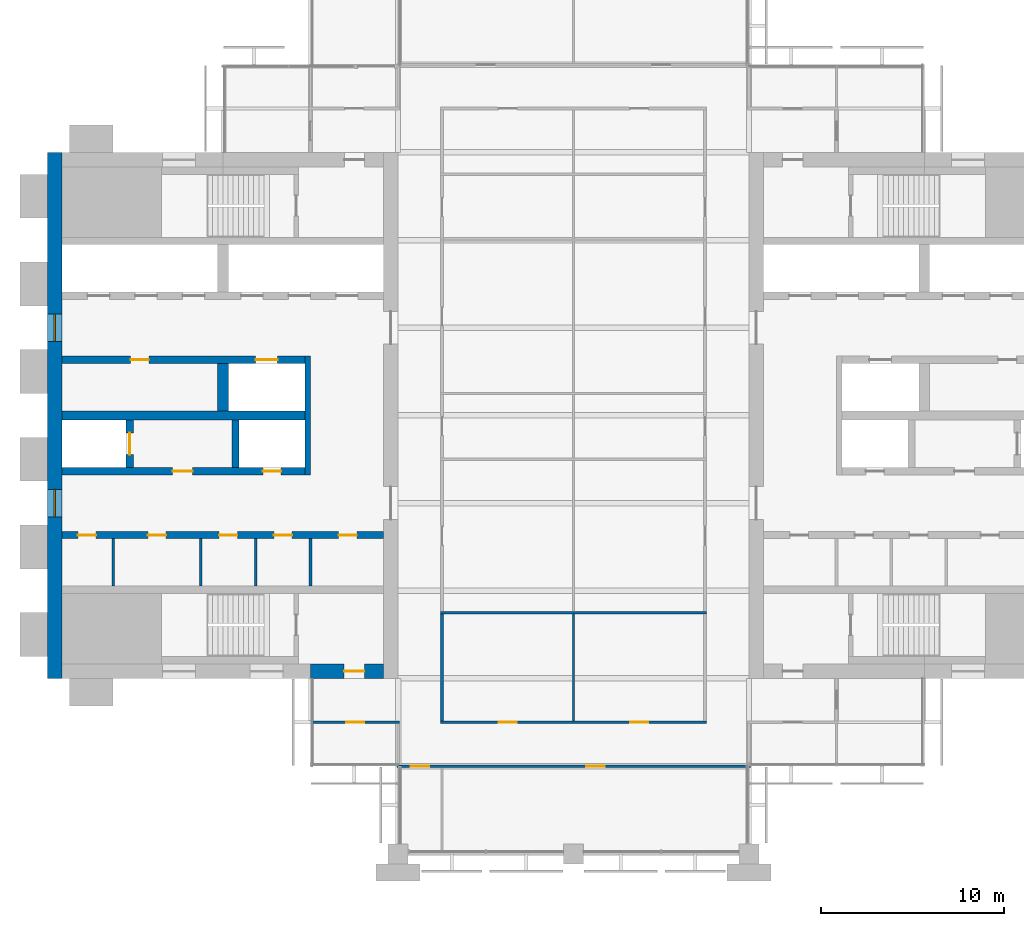
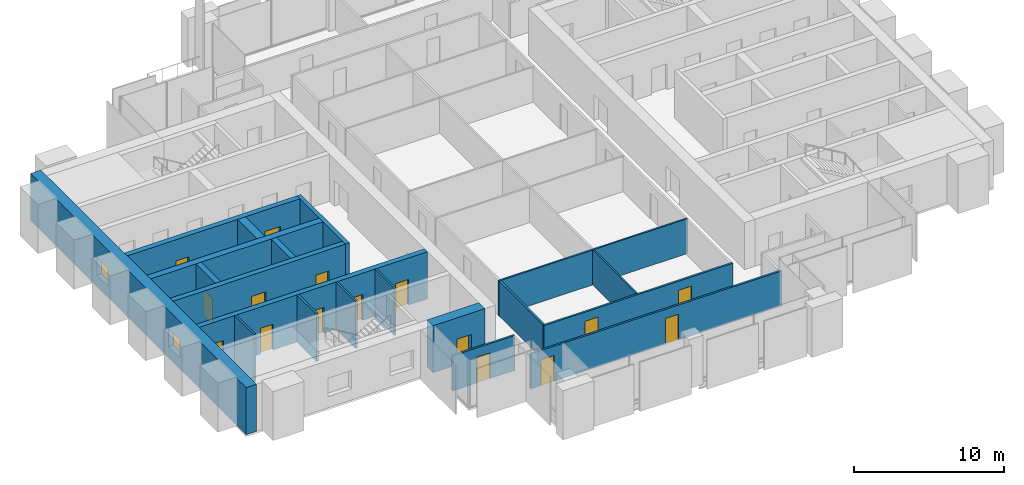
# One storey, part 8 of 13: 20 walls, 16 doors, 2 windows, 18 openings.
"""IFC4 building model written with IfcOpenShell, lengths in metres."""

from ifc_helpers import new_model, si_unit, direction, frame, frame_2d, origin, place, context, subcontext, project, spatial, rectangle, extrude, material, layer, layer_set, type_object, element, fill, save


model = new_model("IFC4")

# Units and contexts
model_context = context("Model", 3, precision=1e-05, world=origin(), true_north=direction((0.0, 1.0)))
body_context = subcontext(model_context, "Body", "Model", "MODEL_VIEW")
ifc_project = project(units=[si_unit("LENGTHUNIT", "METRE"), si_unit("AREAUNIT", "SQUARE_METRE"), si_unit("VOLUMEUNIT", "CUBIC_METRE"), si_unit("PLANEANGLEUNIT", "RADIAN"), si_unit("MASSUNIT", "GRAM", prefix="KILO")], contexts=[model_context])

# Site, building, storey
site_placement = place(None, origin())
site = spatial("IfcSite", under=ifc_project, at=site_placement, CompositionType="ELEMENT")
building_placement = place(site_placement, origin())
building = spatial("IfcBuilding", under=site, at=building_placement, Name="Baori Bourse Tower", CompositionType="ELEMENT")
storey_placement = place(building_placement, frame((0.0, 0.0, 229.199951171875)))
storey = spatial("IfcBuildingStorey", under=building, at=storey_placement, Name="L50", CompositionType="ELEMENT", Elevation=229.199951171875)

# Walls
ifc_material_1 = material(Name="Blockwork partition", Category="masonry")
ifc_layer_1 = layer(ifc_material_1, 0.14990234375)
ifc_layer_set_1 = layer_set([ifc_layer_1], Name="Core partition 150")
wall_type_1 = type_object("IfcWallType", Name="Core partition 150", PredefinedType="PARTITIONING", material=ifc_layer_set_1)
for number, where, z_axis, x_axis, name in (
    (1, (3.60009765625, 14.64990234375, 0.0), (0.0, 0.0, 1.0), (0.0, 1.0, 0.0), "Partition wall W09"),
    (2, (8.39990234375, 14.64990234375, 0.0), (0.0, 0.0, 1.0), (0.0, 1.0, 0.0), "Partition wall W10"),
    (3, (11.39990234375, 14.64990234375, 0.0), (0.0, 0.0, 1.0), (0.0, 1.0, 0.0), "Partition wall W11"),
    (4, (14.39990234375, 14.64990234375, 0.0), (0.0, 0.0, 1.0), (0.0, 1.0, 0.0), "Partition wall W12"),
):
    element("IfcWall", number, at=place(storey_placement, frame(where, z_axis=z_axis, x_axis=x_axis)), inside=storey, type_object=wall_type_1, Name=name, PredefinedType="PARTITIONING", context=body_context, shape_type="SweptSolid", body=[
        extrude(rectangle(XDim=2.60009765625, YDim=0.14990234375, at=frame_2d((1.300048828125, 0.0))), origin(), (0.0, 0.0, 1.0), 3.840087890625),
    ])

# Wall, openings, windows
ifc_material_2 = material(Name="Concrete f'c 50 MPa", Category="concrete")
ifc_layer_2 = layer(ifc_material_2, 0.800048828125)
ifc_layer_set_2 = layer_set([ifc_layer_2], Name="Core wall 800 f'c 50")
wall_type_2 = type_object("IfcWallType", Name="Core wall 800 f'c 50", PredefinedType="SHEAR", material=ifc_layer_set_2)
wall_1_placement = place(storey_placement, frame((0.39990234375, 9.60009765625, 0.0), z_axis=(0.0, 0.0, 1.0), x_axis=(0.0, 1.0, 0.0)))
wall_1 = element("IfcWall", 5, at=wall_1_placement, inside=storey, type_object=wall_type_2, Name="Core wall W01", PredefinedType="SHEAR", context=body_context, shape_type="SweptSolid", body=[
    extrude(rectangle(XDim=28.7998046875, YDim=0.800048828125, at=frame_2d((14.39990234375, 0.0))), origin(), (0.0, 0.0, 1.0), 3.840087890625),
])
opening_1_placement = place(wall_1_placement, frame((8.85009765625, 0.0, 0.89990234375)))
opening_1 = element("IfcOpeningElement", 6, at=opening_1_placement, cuts=wall_1, Name="Opening L50-KW101", PredefinedType="OPENING", context=body_context, shape_type="SweptSolid", body=[
    extrude(rectangle(XDim=1.5, YDim=1.5, at=frame_2d((0.75, 0.75))), frame((0.0, 0.409912109375, 0.0), z_axis=(0.0, -1.0, 0.0), x_axis=(1.0, 0.0, 0.0)), (0.0, 0.0, 1.0), 0.820068359375),
])
opening_2_placement = place(wall_1_placement, frame((18.449951171875, 0.0, 0.89990234375)))
opening_2 = element("IfcOpeningElement", 7, at=opening_2_placement, cuts=wall_1, Name="Opening L50-KW102", PredefinedType="OPENING", context=body_context, shape_type="SweptSolid", body=[
    extrude(rectangle(XDim=1.5, YDim=1.5, at=frame_2d((0.75, 0.75))), frame((0.0, 0.409912109375, 0.0), z_axis=(0.0, -1.0, 0.0), x_axis=(1.0, 0.0, 0.0)), (0.0, 0.0, 1.0), 0.820068359375),
])
ifc_material_3 = material(Name="Pale anodised aluminium", Category="aluminium")
window_type = type_object("IfcWindowType", Name="Lobby window 1500 x 1500", PartitioningType="SINGLE_PANEL", PredefinedType="WINDOW", material=ifc_material_3)
window_1_placement = place(opening_1_placement, origin())
window_1 = element("IfcWindow", 8, at=window_1_placement, inside=storey, type_object=window_type, Name="Outer wall window W L50 1", OverallHeight=1.5, OverallWidth=1.5, PartitioningType="SINGLE_PANEL", PredefinedType="WINDOW", context=body_context, shape_type="SweptSolid", body=[
    extrude(rectangle(XDim=1.5, YDim=1.5, at=frame_2d((0.75, 0.75))), frame((0.0, 0.030029296875, 0.0), z_axis=(0.0, -1.0, 0.0), x_axis=(1.0, 0.0, 0.0)), (0.0, 0.0, 1.0), 0.06005859375),
])
fill(opening_1, window_1)
window_2_placement = place(opening_2_placement, origin())
window_2 = element("IfcWindow", 9, at=window_2_placement, inside=storey, type_object=window_type, Name="Outer wall window W L50 2", OverallHeight=1.5, OverallWidth=1.5, PartitioningType="SINGLE_PANEL", PredefinedType="WINDOW", context=body_context, shape_type="SweptSolid", body=[
    extrude(rectangle(XDim=1.5, YDim=1.5, at=frame_2d((0.75, 0.75))), frame((0.0, 0.030029296875, 0.0), z_axis=(0.0, -1.0, 0.0), x_axis=(1.0, 0.0, 0.0)), (0.0, 0.0, 1.0), 0.06005859375),
])
fill(opening_2, window_2)

# Wall, opening, door
wall_2_placement = place(storey_placement, frame((18.39990234375, 10.0, 0.0), z_axis=(0.0, 0.0, 1.0), x_axis=(-1.0, 0.0, 0.0)))
wall_2 = element("IfcWall", 10, at=wall_2_placement, inside=storey, type_object=wall_type_2, Name="Core wall W03", PredefinedType="SHEAR", context=body_context, shape_type="SweptSolid", body=[
    extrude(rectangle(XDim=4.0, YDim=0.800048828125, at=frame_2d((2.0, 0.0))), origin(), (0.0, 0.0, 1.0), 3.840087890625),
])
opening_3_placement = place(wall_2_placement, frame((1.050048828125, 0.0, 0.0)))
opening_3 = element("IfcOpeningElement", 11, at=opening_3_placement, cuts=wall_2, Name="Opening L50-D102", PredefinedType="OPENING", context=body_context, shape_type="SweptSolid", body=[
    extrude(rectangle(XDim=1.10009765625, YDim=2.10009765625, at=frame_2d((0.550048828125, 1.050048828125))), frame((0.0, 0.409912109375, 0.0), z_axis=(0.0, -1.0, 0.0), x_axis=(1.0, 0.0, 0.0)), (0.0, 0.0, 1.0), 0.820068359375),
])
ifc_material_4 = material(Name="Painted steel door", Category="steel")
door_type_1 = type_object("IfcDoorType", Name="Stair door 1100", OperationType="SINGLE_SWING_LEFT", PredefinedType="DOOR", material=ifc_material_4)
door_1_placement = place(opening_3_placement, origin())
door_1 = element("IfcDoor", 12, at=door_1_placement, inside=storey, type_object=door_type_1, Name="Stair vestibule door A W L50", OperationType="SINGLE_SWING_LEFT", OverallHeight=2.10009765625, OverallWidth=1.10009765625, PredefinedType="DOOR", context=body_context, shape_type="SweptSolid", body=[
    extrude(rectangle(XDim=1.10009765625, YDim=2.10009765625, at=frame_2d((0.550048828125, 1.050048828125))), frame((0.0, 0.02490234375, 0.0), z_axis=(0.0, -1.0, 0.0), x_axis=(1.0, 0.0, 0.0)), (0.0, 0.0, 1.0), 0.050048828125),
])
fill(opening_3, door_1)

# Wall, openings, doors
ifc_material_5 = material(Name="Gypsum board partition")
ifc_layer_3 = layer(ifc_material_5, 0.14990234375)
ifc_layer_set_3 = layer_set([ifc_layer_3], Name="Corridor partition 150")
wall_type_3 = type_object("IfcWallType", Name="Corridor partition 150", PredefinedType="PARTITIONING", material=ifc_layer_set_3)
wall_3_placement = place(storey_placement, frame((19.125, 4.800048828125, 0.0), z_axis=(0.0, 0.0, 1.0), x_axis=(1.0, 0.0, 0.0)))
wall_3 = element("IfcWall", 13, at=wall_3_placement, inside=storey, type_object=wall_type_3, Name="Partition", PredefinedType="PARTITIONING", context=body_context, shape_type="SweptSolid", body=[
    extrude(rectangle(XDim=19.35009765625, YDim=0.14990234375, at=frame_2d((9.675048828125, 0.0))), origin(), (0.0, 0.0, 1.0), 2.849365234375),
])
opening_4_placement = place(wall_3_placement, frame((0.77490234375, 0.0, 0.0)))
opening_4 = element("IfcOpeningElement", 14, at=opening_4_placement, cuts=wall_3, Name="Opening L50-D01", PredefinedType="OPENING", context=body_context, shape_type="SweptSolid", body=[
    extrude(rectangle(XDim=1.0, YDim=2.10009765625, at=frame_2d((0.5, 1.050048828125))), frame((0.0, 0.0849609375, 0.0), z_axis=(0.0, -1.0, 0.0), x_axis=(1.0, 0.0, 0.0)), (0.0, 0.0, 1.0), 0.169921875),
])
opening_5_placement = place(wall_3_placement, frame((10.375, 0.0, 0.0)))
opening_5 = element("IfcOpeningElement", 15, at=opening_5_placement, cuts=wall_3, Name="Opening L50-D02", PredefinedType="OPENING", context=body_context, shape_type="SweptSolid", body=[
    extrude(rectangle(XDim=1.0, YDim=2.10009765625, at=frame_2d((0.5, 1.050048828125))), frame((0.0, 0.0849609375, 0.0), z_axis=(0.0, -1.0, 0.0), x_axis=(1.0, 0.0, 0.0)), (0.0, 0.0, 1.0), 0.169921875),
])
ifc_material_6 = material(Name="Timber door leaf", Category="wood")
door_type_2 = type_object("IfcDoorType", Name="Door 1000 x 2100", OperationType="SINGLE_SWING_LEFT", PredefinedType="DOOR", material=ifc_material_6)
door_2_placement = place(opening_4_placement, origin())
door_2 = element("IfcDoor", 16, at=door_2_placement, inside=storey, type_object=door_type_2, Name="Door", OperationType="SINGLE_SWING_LEFT", OverallHeight=2.10009765625, OverallWidth=1.0, PredefinedType="DOOR", context=body_context, shape_type="SweptSolid", body=[
    extrude(rectangle(XDim=1.0, YDim=2.10009765625, at=frame_2d((0.5, 1.050048828125))), frame((0.0, 0.02490234375, 0.0), z_axis=(0.0, -1.0, 0.0), x_axis=(1.0, 0.0, 0.0)), (0.0, 0.0, 1.0), 0.050048828125),
])
fill(opening_4, door_2)
door_3_placement = place(opening_5_placement, origin())
door_3 = element("IfcDoor", 17, at=door_3_placement, inside=storey, type_object=door_type_2, Name="Door", OperationType="SINGLE_SWING_RIGHT", OverallHeight=2.10009765625, OverallWidth=1.0, PredefinedType="DOOR", context=body_context, shape_type="SweptSolid", body=[
    extrude(rectangle(XDim=1.0, YDim=2.10009765625, at=frame_2d((0.5, 1.050048828125))), frame((0.0, 0.02490234375, 0.0), z_axis=(0.0, -1.0, 0.0), x_axis=(1.0, 0.0, 0.0)), (0.0, 0.0, 1.0), 0.050048828125),
])
fill(opening_5, door_3)

# Wall, opening, door
wall_4_placement = place(storey_placement, frame((14.5, 7.199951171875, 0.0), z_axis=(0.0, 0.0, 1.0), x_axis=(1.0, 0.0, 0.0)))
wall_4 = element("IfcWall", 18, at=wall_4_placement, inside=storey, type_object=wall_type_3, Name="Partition", PredefinedType="PARTITIONING", context=body_context, shape_type="SweptSolid", body=[
    extrude(rectangle(XDim=4.77490234375, YDim=0.14990234375, at=frame_2d((2.387451171875, 0.0))), origin(), (0.0, 0.0, 1.0), 2.849365234375),
])
opening_6_placement = place(wall_4_placement, frame((1.85009765625, 0.0, 0.0)))
opening_6 = element("IfcOpeningElement", 19, at=opening_6_placement, cuts=wall_4, Name="Opening L50-D03", PredefinedType="OPENING", context=body_context, shape_type="SweptSolid", body=[
    extrude(rectangle(XDim=1.0, YDim=2.10009765625, at=frame_2d((0.5, 1.050048828125))), frame((0.0, 0.0849609375, 0.0), z_axis=(0.0, -1.0, 0.0), x_axis=(1.0, 0.0, 0.0)), (0.0, 0.0, 1.0), 0.169921875),
])
door_4_placement = place(opening_6_placement, origin())
door_4 = element("IfcDoor", 20, at=door_4_placement, inside=storey, type_object=door_type_2, Name="Door", OperationType="SINGLE_SWING_LEFT", OverallHeight=2.10009765625, OverallWidth=1.0, PredefinedType="DOOR", context=body_context, shape_type="SweptSolid", body=[
    extrude(rectangle(XDim=1.0, YDim=2.10009765625, at=frame_2d((0.5, 1.050048828125))), frame((0.0, 0.02490234375, 0.0), z_axis=(0.0, -1.0, 0.0), x_axis=(1.0, 0.0, 0.0)), (0.0, 0.0, 1.0), 0.050048828125),
])
fill(opening_6, door_4)

# Wall, openings, doors
wall_5_placement = place(storey_placement, frame((21.52490234375, 7.199951171875, 0.0), z_axis=(0.0, 0.0, 1.0), x_axis=(1.0, 0.0, 0.0)))
wall_5 = element("IfcWall", 21, at=wall_5_placement, inside=storey, type_object=wall_type_3, Name="Partition", PredefinedType="PARTITIONING", context=body_context, shape_type="SweptSolid", body=[
    extrude(rectangle(XDim=14.550048828125, YDim=0.14990234375, at=frame_2d((7.27490234375, 0.0))), origin(), (0.0, 0.0, 1.0), 2.849365234375),
])
opening_7_placement = place(wall_5_placement, frame((3.175048828125, 0.0, 0.0)))
opening_7 = element("IfcOpeningElement", 22, at=opening_7_placement, cuts=wall_5, Name="Opening L50-D04", PredefinedType="OPENING", context=body_context, shape_type="SweptSolid", body=[
    extrude(rectangle(XDim=1.0, YDim=2.10009765625, at=frame_2d((0.5, 1.050048828125))), frame((0.0, 0.0849609375, 0.0), z_axis=(0.0, -1.0, 0.0), x_axis=(1.0, 0.0, 0.0)), (0.0, 0.0, 1.0), 0.169921875),
])
opening_8_placement = place(wall_5_placement, frame((10.375, 0.0, 0.0)))
opening_8 = element("IfcOpeningElement", 23, at=opening_8_placement, cuts=wall_5, Name="Opening L50-D05", PredefinedType="OPENING", context=body_context, shape_type="SweptSolid", body=[
    extrude(rectangle(XDim=1.0, YDim=2.10009765625, at=frame_2d((0.5, 1.050048828125))), frame((0.0, 0.0849609375, 0.0), z_axis=(0.0, -1.0, 0.0), x_axis=(1.0, 0.0, 0.0)), (0.0, 0.0, 1.0), 0.169921875),
])
door_5_placement = place(opening_7_placement, origin())
door_5 = element("IfcDoor", 24, at=door_5_placement, inside=storey, type_object=door_type_2, Name="Door", OperationType="SINGLE_SWING_RIGHT", OverallHeight=2.10009765625, OverallWidth=1.0, PredefinedType="DOOR", context=body_context, shape_type="SweptSolid", body=[
    extrude(rectangle(XDim=1.0, YDim=2.10009765625, at=frame_2d((0.5, 1.050048828125))), frame((0.0, 0.02490234375, 0.0), z_axis=(0.0, -1.0, 0.0), x_axis=(1.0, 0.0, 0.0)), (0.0, 0.0, 1.0), 0.050048828125),
])
fill(opening_7, door_5)
door_6_placement = place(opening_8_placement, origin())
door_6 = element("IfcDoor", 25, at=door_6_placement, inside=storey, type_object=door_type_2, Name="Door", OperationType="SINGLE_SWING_LEFT", OverallHeight=2.10009765625, OverallWidth=1.0, PredefinedType="DOOR", context=body_context, shape_type="SweptSolid", body=[
    extrude(rectangle(XDim=1.0, YDim=2.10009765625, at=frame_2d((0.5, 1.050048828125))), frame((0.0, 0.02490234375, 0.0), z_axis=(0.0, -1.0, 0.0), x_axis=(1.0, 0.0, 0.0)), (0.0, 0.0, 1.0), 0.050048828125),
])
fill(opening_8, door_6)

# Walls
wall_6_placement = place(storey_placement, frame((21.60009765625, 7.27490234375, 0.0), z_axis=(0.0, 0.0, 1.0), x_axis=(0.0, 1.0, 0.0)))
element("IfcWall", 26, at=wall_6_placement, inside=storey, type_object=wall_type_3, Name="Partition", PredefinedType="PARTITIONING", context=body_context, shape_type="SweptSolid", body=[
    extrude(rectangle(XDim=5.862548828125, YDim=0.14990234375, at=frame_2d((2.93115234375, 0.0))), origin(), (0.0, 0.0, 1.0), 2.849365234375),
])
ifc_material_7 = material(Name="Gypsum board partition")
ifc_layer_4 = layer(ifc_material_7, 0.125)
ifc_layer_set_4 = layer_set([ifc_layer_4], Name="Partition 125")
wall_type_4 = type_object("IfcWallType", Name="Partition 125", PredefinedType="PARTITIONING", material=ifc_layer_set_4)
wall_7_placement = place(storey_placement, frame((21.52490234375, 13.199951171875, 0.0), z_axis=(0.0, 0.0, 1.0), x_axis=(1.0, 0.0, 0.0)))
element("IfcWall", 27, at=wall_7_placement, inside=storey, type_object=wall_type_4, Name="Partition", PredefinedType="PARTITIONING", context=body_context, shape_type="SweptSolid", body=[
    extrude(rectangle(XDim=14.550048828125, YDim=0.125, at=frame_2d((7.27490234375, 0.0))), origin(), (0.0, 0.0, 1.0), 2.849365234375),
])
wall_8_placement = place(storey_placement, frame((28.800048828125, 7.27490234375, 0.0), z_axis=(0.0, 0.0, 1.0), x_axis=(0.0, 1.0, 0.0)))
element("IfcWall", 28, at=wall_8_placement, inside=storey, type_object=wall_type_4, Name="Partition", PredefinedType="PARTITIONING", context=body_context, shape_type="SweptSolid", body=[
    extrude(rectangle(XDim=5.862548828125, YDim=0.125, at=frame_2d((2.93115234375, 0.0))), origin(), (0.0, 0.0, 1.0), 2.849365234375),
])
ifc_material_8 = material(Name="Concrete f'c 50 MPa", Category="concrete")
ifc_layer_5 = layer(ifc_material_8, 0.300048828125)
ifc_layer_set_5 = layer_set([ifc_layer_5], Name="Shaft wall 300 f'c 50")
wall_type_5 = type_object("IfcWallType", Name="Shaft wall 300 f'c 50", PredefinedType="SHEAR", material=ifc_layer_set_5)
wall_9_placement = place(storey_placement, frame((14.25, 20.75, 0.0), z_axis=(0.0, 0.0, 1.0), x_axis=(0.0, 1.0, 0.0)))
element("IfcWall", 29, at=wall_9_placement, inside=storey, type_object=wall_type_5, Name="Core wall W15", PredefinedType="SHEAR", context=body_context, shape_type="SweptSolid", body=[
    extrude(rectangle(XDim=6.5, YDim=0.300048828125, at=frame_2d((3.25, 0.0))), origin(), (0.0, 0.0, 1.0), 3.840087890625),
])

# Wall, openings, doors
ifc_material_9 = material(Name="Concrete f'c 50 MPa", Category="concrete")
ifc_layer_6 = layer(ifc_material_9, 0.39990234375)
ifc_layer_set_6 = layer_set([ifc_layer_6], Name="Shaft wall 400 f'c 50")
wall_type_6 = type_object("IfcWallType", Name="Shaft wall 400 f'c 50", PredefinedType="SHEAR", material=ifc_layer_set_6)
wall_10_placement = place(storey_placement, frame((0.800048828125, 17.449951171875, 0.0), z_axis=(0.0, 0.0, 1.0), x_axis=(1.0, 0.0, 0.0)))
wall_10 = element("IfcWall", 30, at=wall_10_placement, inside=storey, type_object=wall_type_6, Name="Core wall W13", PredefinedType="SHEAR", context=body_context, shape_type="SweptSolid", body=[
    extrude(rectangle(XDim=17.599853515625, YDim=0.39990234375, at=frame_2d((8.7998046875, 0.0))), origin(), (0.0, 0.0, 1.0), 3.840087890625),
])
opening_9_placement = place(wall_10_placement, frame((0.862548828125, 0.0, 0.0)))
opening_9 = element("IfcOpeningElement", 31, at=opening_9_placement, cuts=wall_10, Name="Opening L50-D109", PredefinedType="OPENING", context=body_context, shape_type="SweptSolid", body=[
    extrude(rectangle(XDim=1.0, YDim=2.10009765625, at=frame_2d((0.5, 1.050048828125))), frame((0.0, 0.2099609375, 0.0), z_axis=(0.0, -1.0, 0.0), x_axis=(1.0, 0.0, 0.0)), (0.0, 0.0, 1.0), 0.419921875),
])
opening_10_placement = place(wall_10_placement, frame((4.699951171875, 0.0, 0.0)))
opening_10 = element("IfcOpeningElement", 32, at=opening_10_placement, cuts=wall_10, Name="Opening L50-D110", PredefinedType="OPENING", context=body_context, shape_type="SweptSolid", body=[
    extrude(rectangle(XDim=1.0, YDim=2.10009765625, at=frame_2d((0.5, 1.050048828125))), frame((0.0, 0.2099609375, 0.0), z_axis=(0.0, -1.0, 0.0), x_axis=(1.0, 0.0, 0.0)), (0.0, 0.0, 1.0), 0.419921875),
])
opening_11_placement = place(wall_10_placement, frame((8.60009765625, 0.0, 0.0)))
opening_11 = element("IfcOpeningElement", 33, at=opening_11_placement, cuts=wall_10, Name="Opening L50-D111", PredefinedType="OPENING", context=body_context, shape_type="SweptSolid", body=[
    extrude(rectangle(XDim=1.0, YDim=2.10009765625, at=frame_2d((0.5, 1.050048828125))), frame((0.0, 0.2099609375, 0.0), z_axis=(0.0, -1.0, 0.0), x_axis=(1.0, 0.0, 0.0)), (0.0, 0.0, 1.0), 0.419921875),
])
opening_12_placement = place(wall_10_placement, frame((11.60009765625, 0.0, 0.0)))
opening_12 = element("IfcOpeningElement", 34, at=opening_12_placement, cuts=wall_10, Name="Opening L50-D112", PredefinedType="OPENING", context=body_context, shape_type="SweptSolid", body=[
    extrude(rectangle(XDim=1.0, YDim=2.10009765625, at=frame_2d((0.5, 1.050048828125))), frame((0.0, 0.2099609375, 0.0), z_axis=(0.0, -1.0, 0.0), x_axis=(1.0, 0.0, 0.0)), (0.0, 0.0, 1.0), 0.419921875),
])
opening_13_placement = place(wall_10_placement, frame((15.137451171875, 0.0, 0.0)))
opening_13 = element("IfcOpeningElement", 35, at=opening_13_placement, cuts=wall_10, Name="Opening L50-D113", PredefinedType="OPENING", context=body_context, shape_type="SweptSolid", body=[
    extrude(rectangle(XDim=1.0, YDim=2.10009765625, at=frame_2d((0.5, 1.050048828125))), frame((0.0, 0.2099609375, 0.0), z_axis=(0.0, -1.0, 0.0), x_axis=(1.0, 0.0, 0.0)), (0.0, 0.0, 1.0), 0.419921875),
])
ifc_material_10 = material(Name="Painted steel door", Category="steel")
door_type_3 = type_object("IfcDoorType", Name="Core door 1000", OperationType="SINGLE_SWING_LEFT", PredefinedType="DOOR", material=ifc_material_10)
door_7_placement = place(opening_9_placement, origin())
door_7 = element("IfcDoor", 36, at=door_7_placement, inside=storey, type_object=door_type_3, Name="Store Room door W L50", OperationType="SINGLE_SWING_LEFT", OverallHeight=2.10009765625, OverallWidth=1.0, PredefinedType="DOOR", context=body_context, shape_type="SweptSolid", body=[
    extrude(rectangle(XDim=1.0, YDim=2.10009765625, at=frame_2d((0.5, 1.050048828125))), frame((0.0, 0.02490234375, 0.0), z_axis=(0.0, -1.0, 0.0), x_axis=(1.0, 0.0, 0.0)), (0.0, 0.0, 1.0), 0.050048828125),
])
fill(opening_9, door_7)
door_8_placement = place(opening_10_placement, origin())
door_8 = element("IfcDoor", 37, at=door_8_placement, inside=storey, type_object=door_type_3, Name="Men'S Wc door W L50", OperationType="SINGLE_SWING_LEFT", OverallHeight=2.10009765625, OverallWidth=1.0, PredefinedType="DOOR", context=body_context, shape_type="SweptSolid", body=[
    extrude(rectangle(XDim=1.0, YDim=2.10009765625, at=frame_2d((0.5, 1.050048828125))), frame((0.0, 0.02490234375, 0.0), z_axis=(0.0, -1.0, 0.0), x_axis=(1.0, 0.0, 0.0)), (0.0, 0.0, 1.0), 0.050048828125),
])
fill(opening_10, door_8)
door_9_placement = place(opening_11_placement, origin())
door_9 = element("IfcDoor", 38, at=door_9_placement, inside=storey, type_object=door_type_3, Name="Accessible Wc door W L50", OperationType="SINGLE_SWING_LEFT", OverallHeight=2.10009765625, OverallWidth=1.0, PredefinedType="DOOR", context=body_context, shape_type="SweptSolid", body=[
    extrude(rectangle(XDim=1.0, YDim=2.10009765625, at=frame_2d((0.5, 1.050048828125))), frame((0.0, 0.02490234375, 0.0), z_axis=(0.0, -1.0, 0.0), x_axis=(1.0, 0.0, 0.0)), (0.0, 0.0, 1.0), 0.050048828125),
])
fill(opening_11, door_9)
door_10_placement = place(opening_12_placement, origin())
door_10 = element("IfcDoor", 39, at=door_10_placement, inside=storey, type_object=door_type_3, Name="Janitor'S Closet door W L50", OperationType="SINGLE_SWING_LEFT", OverallHeight=2.10009765625, OverallWidth=1.0, PredefinedType="DOOR", context=body_context, shape_type="SweptSolid", body=[
    extrude(rectangle(XDim=1.0, YDim=2.10009765625, at=frame_2d((0.5, 1.050048828125))), frame((0.0, 0.02490234375, 0.0), z_axis=(0.0, -1.0, 0.0), x_axis=(1.0, 0.0, 0.0)), (0.0, 0.0, 1.0), 0.050048828125),
])
fill(opening_12, door_10)
door_11_placement = place(opening_13_placement, origin())
door_11 = element("IfcDoor", 40, at=door_11_placement, inside=storey, type_object=door_type_3, Name="Women'S Wc door W L50", OperationType="SINGLE_SWING_LEFT", OverallHeight=2.10009765625, OverallWidth=1.0, PredefinedType="DOOR", context=body_context, shape_type="SweptSolid", body=[
    extrude(rectangle(XDim=1.0, YDim=2.10009765625, at=frame_2d((0.5, 1.050048828125))), frame((0.0, 0.02490234375, 0.0), z_axis=(0.0, -1.0, 0.0), x_axis=(1.0, 0.0, 0.0)), (0.0, 0.0, 1.0), 0.050048828125),
])
fill(opening_13, door_11)

wall_11_placement = place(storey_placement, frame((0.800048828125, 20.949951171875, 0.0), z_axis=(0.0, 0.0, 1.0), x_axis=(1.0, 0.0, 0.0)))
wall_11 = element("IfcWall", 41, at=wall_11_placement, inside=storey, type_object=wall_type_6, Name="Core wall W14", PredefinedType="SHEAR", context=body_context, shape_type="SweptSolid", body=[
    extrude(rectangle(XDim=13.300048828125, YDim=0.39990234375, at=frame_2d((6.64990234375, 0.0))), origin(), (0.0, 0.0, 1.0), 3.840087890625),
])
opening_14_placement = place(wall_11_placement, frame((6.050048828125, 0.0, 0.0)))
opening_14 = element("IfcOpeningElement", 42, at=opening_14_placement, cuts=wall_11, Name="Opening L50-D105", PredefinedType="OPENING", context=body_context, shape_type="SweptSolid", body=[
    extrude(rectangle(XDim=1.10009765625, YDim=2.10009765625, at=frame_2d((0.550048828125, 1.050048828125))), frame((0.0, 0.2099609375, 0.0), z_axis=(0.0, -1.0, 0.0), x_axis=(1.0, 0.0, 0.0)), (0.0, 0.0, 1.0), 0.419921875),
])
opening_15_placement = place(wall_11_placement, frame((11.0, 0.0, 0.0)))
opening_15 = element("IfcOpeningElement", 43, at=opening_15_placement, cuts=wall_11, Name="Opening L50-D106", PredefinedType="OPENING", context=body_context, shape_type="SweptSolid", body=[
    extrude(rectangle(XDim=1.0, YDim=2.10009765625, at=frame_2d((0.5, 1.050048828125))), frame((0.0, 0.2099609375, 0.0), z_axis=(0.0, -1.0, 0.0), x_axis=(1.0, 0.0, 0.0)), (0.0, 0.0, 1.0), 0.419921875),
])
ifc_material_11 = material(Name="Painted steel door", Category="steel")
door_type_4 = type_object("IfcDoorType", Name="Lobby door 1100", OperationType="SINGLE_SWING_LEFT", PredefinedType="DOOR", material=ifc_material_11)
door_12_placement = place(opening_14_placement, origin())
door_12 = element("IfcDoor", 44, at=door_12_placement, inside=storey, type_object=door_type_4, Name="Firefighting lobby door W L50", OperationType="SINGLE_SWING_LEFT", OverallHeight=2.10009765625, OverallWidth=1.10009765625, PredefinedType="DOOR", context=body_context, shape_type="SweptSolid", body=[
    extrude(rectangle(XDim=1.10009765625, YDim=2.10009765625, at=frame_2d((0.550048828125, 1.050048828125))), frame((0.0, 0.02490234375, 0.0), z_axis=(0.0, -1.0, 0.0), x_axis=(1.0, 0.0, 0.0)), (0.0, 0.0, 1.0), 0.050048828125),
])
fill(opening_14, door_12)
ifc_material_12 = material(Name="Painted steel door", Category="steel")
door_type_5 = type_object("IfcDoorType", Name="Shaft door 1000", OperationType="SINGLE_SWING_LEFT", PredefinedType="DOOR", material=ifc_material_12)
door_13_placement = place(opening_15_placement, origin())
door_13 = element("IfcDoor", 45, at=door_13_placement, inside=storey, type_object=door_type_5, Name="Riser room door W L50", OperationType="SINGLE_SWING_LEFT", OverallHeight=2.10009765625, OverallWidth=1.0, PredefinedType="DOOR", context=body_context, shape_type="SweptSolid", body=[
    extrude(rectangle(XDim=1.0, YDim=2.10009765625, at=frame_2d((0.5, 1.050048828125))), frame((0.0, 0.02490234375, 0.0), z_axis=(0.0, -1.0, 0.0), x_axis=(1.0, 0.0, 0.0)), (0.0, 0.0, 1.0), 0.050048828125),
])
fill(opening_15, door_13)

# Wall, opening, door
wall_12_placement = place(storey_placement, frame((4.5, 21.14990234375, 0.0), z_axis=(0.0, 0.0, 1.0), x_axis=(0.0, 1.0, 0.0)))
wall_12 = element("IfcWall", 46, at=wall_12_placement, inside=storey, type_object=wall_type_6, Name="Core wall W16", PredefinedType="SHEAR", context=body_context, shape_type="SweptSolid", body=[
    extrude(rectangle(XDim=2.60009765625, YDim=0.39990234375, at=frame_2d((1.300048828125, 0.0))), origin(), (0.0, 0.0, 1.0), 3.840087890625),
])
opening_16_placement = place(wall_12_placement, frame((0.699951171875, 0.0, 0.0)))
opening_16 = element("IfcOpeningElement", 47, at=opening_16_placement, cuts=wall_12, Name="Opening L50-D122", PredefinedType="OPENING", context=body_context, shape_type="SweptSolid", body=[
    extrude(rectangle(XDim=1.199951171875, YDim=2.10009765625, at=frame_2d((0.60009765625, 1.050048828125))), frame((0.0, 0.2099609375, 0.0), z_axis=(0.0, -1.0, 0.0), x_axis=(1.0, 0.0, 0.0)), (0.0, 0.0, 1.0), 0.419921875),
])
ifc_material_13 = material(Name="Stainless steel door", Category="steel")
door_type_6 = type_object("IfcDoorType", Name="Lift landing door", OperationType="DOUBLE_DOOR_SLIDING", PredefinedType="DOOR", material=ifc_material_13)
door_14_placement = place(opening_16_placement, origin())
door_14 = element("IfcDoor", 48, at=door_14_placement, inside=storey, type_object=door_type_6, Name="Lift landing door FF1 W L50", OperationType="DOUBLE_DOOR_SLIDING", OverallHeight=2.10009765625, OverallWidth=1.199951171875, PredefinedType="DOOR", context=body_context, shape_type="SweptSolid", body=[
    extrude(rectangle(XDim=1.199951171875, YDim=2.10009765625, at=frame_2d((0.60009765625, 1.050048828125))), frame((0.0, 0.02490234375, 0.0), z_axis=(0.0, -1.0, 0.0), x_axis=(1.0, 0.0, 0.0)), (0.0, 0.0, 1.0), 0.050048828125),
])
fill(opening_16, door_14)

# Wall
wall_13_placement = place(storey_placement, frame((10.300048828125, 21.14990234375, 0.0), z_axis=(0.0, 0.0, 1.0), x_axis=(0.0, 1.0, 0.0)))
element("IfcWall", 49, at=wall_13_placement, inside=storey, type_object=wall_type_6, Name="Core wall W17", PredefinedType="SHEAR", context=body_context, shape_type="SweptSolid", body=[
    extrude(rectangle(XDim=2.60009765625, YDim=0.39990234375, at=frame_2d((1.300048828125, 0.0))), origin(), (0.0, 0.0, 1.0), 3.840087890625),
])

# Wall, openings, doors
wall_14_placement = place(storey_placement, frame((0.800048828125, 27.050048828125, 0.0), z_axis=(0.0, 0.0, 1.0), x_axis=(1.0, 0.0, 0.0)))
wall_14 = element("IfcWall", 50, at=wall_14_placement, inside=storey, type_object=wall_type_6, Name="Core wall W20", PredefinedType="SHEAR", context=body_context, shape_type="SweptSolid", body=[
    extrude(rectangle(XDim=13.300048828125, YDim=0.39990234375, at=frame_2d((6.64990234375, 0.0))), origin(), (0.0, 0.0, 1.0), 3.840087890625),
])
opening_17_placement = place(wall_14_placement, frame((3.75, 0.0, 0.0)))
opening_17 = element("IfcOpeningElement", 51, at=opening_17_placement, cuts=wall_14, Name="Opening L50-D114", PredefinedType="OPENING", context=body_context, shape_type="SweptSolid", body=[
    extrude(rectangle(XDim=1.0, YDim=2.10009765625, at=frame_2d((0.5, 1.050048828125))), frame((0.0, 0.2099609375, 0.0), z_axis=(0.0, -1.0, 0.0), x_axis=(1.0, 0.0, 0.0)), (0.0, 0.0, 1.0), 0.419921875),
])
opening_18_placement = place(wall_14_placement, frame((10.60009765625, 0.0, 0.0)))
opening_18 = element("IfcOpeningElement", 52, at=opening_18_placement, cuts=wall_14, Name="Opening L50-D121", PredefinedType="OPENING", context=body_context, shape_type="SweptSolid", body=[
    extrude(rectangle(XDim=1.199951171875, YDim=2.10009765625, at=frame_2d((0.60009765625, 1.050048828125))), frame((0.0, 0.2099609375, 0.0), z_axis=(0.0, -1.0, 0.0), x_axis=(1.0, 0.0, 0.0)), (0.0, 0.0, 1.0), 0.419921875),
])
door_15_placement = place(opening_17_placement, origin())
door_15 = element("IfcDoor", 53, at=door_15_placement, inside=storey, type_object=door_type_3, Name="Store Room door W L50", OperationType="SINGLE_SWING_LEFT", OverallHeight=2.10009765625, OverallWidth=1.0, PredefinedType="DOOR", context=body_context, shape_type="SweptSolid", body=[
    extrude(rectangle(XDim=1.0, YDim=2.10009765625, at=frame_2d((0.5, 1.050048828125))), frame((0.0, 0.02490234375, 0.0), z_axis=(0.0, -1.0, 0.0), x_axis=(1.0, 0.0, 0.0)), (0.0, 0.0, 1.0), 0.050048828125),
])
fill(opening_17, door_15)
door_16_placement = place(opening_18_placement, origin())
door_16 = element("IfcDoor", 54, at=door_16_placement, inside=storey, type_object=door_type_6, Name="Lift landing door SV1 W L50", OperationType="DOUBLE_DOOR_SLIDING", OverallHeight=2.10009765625, OverallWidth=1.199951171875, PredefinedType="DOOR", context=body_context, shape_type="SweptSolid", body=[
    extrude(rectangle(XDim=1.199951171875, YDim=2.10009765625, at=frame_2d((0.60009765625, 1.050048828125))), frame((0.0, 0.02490234375, 0.0), z_axis=(0.0, -1.0, 0.0), x_axis=(1.0, 0.0, 0.0)), (0.0, 0.0, 1.0), 0.050048828125),
])
fill(opening_18, door_16)

# Walls
ifc_material_14 = material(Name="Concrete f'c 50 MPa", Category="concrete")
ifc_layer_7 = layer(ifc_material_14, 0.5)
ifc_layer_set_7 = layer_set([ifc_layer_7], Name="Shaft wall 500 f'c 50")
wall_type_7 = type_object("IfcWallType", Name="Shaft wall 500 f'c 50", PredefinedType="SHEAR", material=ifc_layer_set_7)
wall_15_placement = place(storey_placement, frame((0.800048828125, 24.0, 0.0), z_axis=(0.0, 0.0, 1.0), x_axis=(1.0, 0.0, 0.0)))
element("IfcWall", 55, at=wall_15_placement, inside=storey, type_object=wall_type_7, Name="Core wall W18", PredefinedType="SHEAR", context=body_context, shape_type="SweptSolid", body=[
    extrude(rectangle(XDim=13.300048828125, YDim=0.5, at=frame_2d((6.64990234375, 0.0))), origin(), (0.0, 0.0, 1.0), 3.840087890625),
])
ifc_material_15 = material(Name="Concrete f'c 50 MPa", Category="concrete")
ifc_layer_8 = layer(ifc_material_15, 0.60009765625)
ifc_layer_set_8 = layer_set([ifc_layer_8], Name="Shaft wall 600 f'c 50")
wall_type_8 = type_object("IfcWallType", Name="Shaft wall 600 f'c 50", PredefinedType="SHEAR", material=ifc_layer_set_8)
wall_16_placement = place(storey_placement, frame((9.60009765625, 24.25, 0.0), z_axis=(0.0, 0.0, 1.0), x_axis=(0.0, 1.0, 0.0)))
element("IfcWall", 56, at=wall_16_placement, inside=storey, type_object=wall_type_8, Name="Core wall W19", PredefinedType="SHEAR", context=body_context, shape_type="SweptSolid", body=[
    extrude(rectangle(XDim=2.60009765625, YDim=0.60009765625, at=frame_2d((1.300048828125, 0.0))), origin(), (0.0, 0.0, 1.0), 3.840087890625),
])

save(model, "model.ifc")
